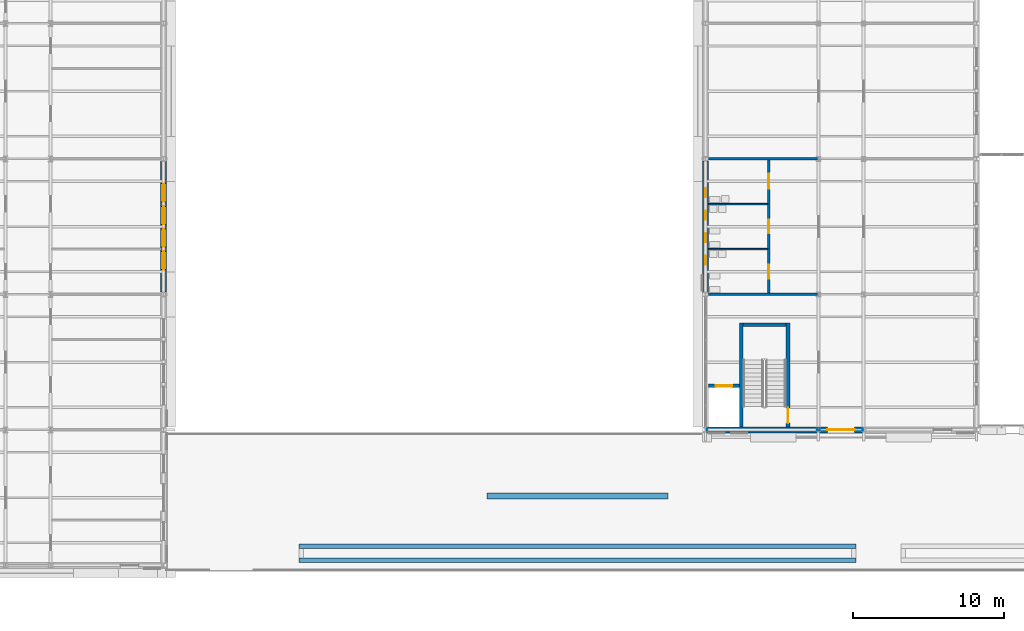
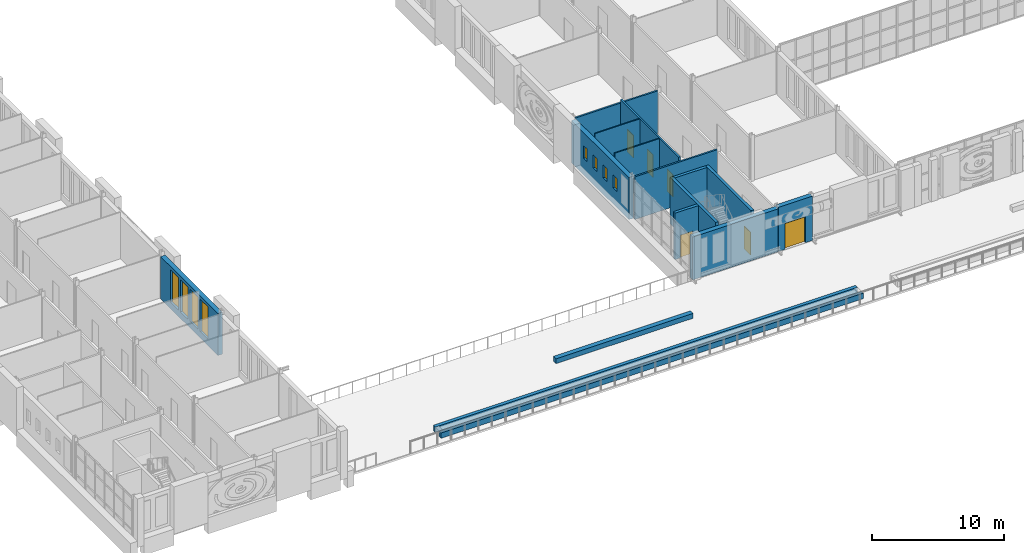
# One storey, part 70 of 134: 16 walls, 8 windows, 6 doors, 14 openings.
"""IFC4 building model written with IfcOpenShell, lengths in metres."""

from ifc_helpers import new_model, si_unit, direction, frame, frame_2d, origin, place, context, subcontext, project, spatial, rectangle, extrude, material, layer, layer_set, type_object, element, fill, save


model = new_model("IFC4")

# Units and contexts
model_context = context("Model", 3, precision=1e-05, world=origin(), true_north=direction((0.0, 1.0)))
body_context = subcontext(model_context, "Body", "Model", "MODEL_VIEW")
ifc_project = project(units=[si_unit("LENGTHUNIT", "METRE"), si_unit("AREAUNIT", "SQUARE_METRE"), si_unit("VOLUMEUNIT", "CUBIC_METRE"), si_unit("PLANEANGLEUNIT", "RADIAN"), si_unit("MASSUNIT", "GRAM", prefix="KILO")], contexts=[model_context])

# Site, building, storey
site_placement = place(None, origin())
site = spatial("IfcSite", under=ifc_project, at=site_placement, CompositionType="ELEMENT")
building_placement = place(site_placement, origin())
building = spatial("IfcBuilding", under=site, at=building_placement, Name="Golden Quay Civic Hall", CompositionType="ELEMENT")
storey_placement = place(building_placement, frame((0.0, 0.0, 5.39990234375)))
storey = spatial("IfcBuildingStorey", under=building, at=storey_placement, Name="L01", CompositionType="ELEMENT", Elevation=5.39990234375)

# Walls
ifc_material_1 = material(Name="Brick, dark clay facing", Category="masonry")
ifc_layer_1 = layer(ifc_material_1, 0.300048828125)
ifc_layer_set_1 = layer_set([ifc_layer_1], Name="Brick planter wall 300")
wall_type_1 = type_object("IfcWallType", Name="Brick planter wall 300", PredefinedType="STANDARD", material=ifc_layer_set_1)
for number, where, z_axis, x_axis, name in (
    (1, (27.0, -8.64990234375, 0.0), (0.0, 0.0, 1.0), (1.0, 0.0, 0.0), "Terrace planter 1"),
    (2, (27.0, -7.75, 0.0), (0.0, 0.0, 1.0), (1.0, 0.0, 0.0), "Terrace planter 1"),
):
    element("IfcWall", number, at=place(storey_placement, frame(where, z_axis=z_axis, x_axis=x_axis)), inside=storey, type_object=wall_type_1, Name=name, PredefinedType="STANDARD", context=body_context, shape_type="SweptSolid", body=[
        extrude(rectangle(XDim=37.0, YDim=0.300048828125, at=frame_2d((18.5, 0.0))), origin(), (0.0, 0.0, 1.0), 0.5),
    ])
ifc_material_2 = material(Name="Concrete C40/50", Category="concrete")
ifc_layer_2 = layer(ifc_material_2, 0.25)
ifc_layer_set_2 = layer_set([ifc_layer_2], Name="Concrete core wall 250, Concrete C40/50")
wall_type_2 = type_object("IfcWallType", Name="Concrete core wall 250", PredefinedType="SHEAR", material=ifc_layer_set_2)
wall_1_placement = place(storey_placement, frame((56.375, 0.199951171875, 0.0), z_axis=(0.0, 0.0, 1.0), x_axis=(0.0, 1.0, 0.0)))
element("IfcWall", 3, at=wall_1_placement, inside=storey, type_object=wall_type_2, Name="Core wall WM-S-W1", PredefinedType="SHEAR", context=body_context, shape_type="SweptSolid", body=[
    extrude(rectangle(XDim=6.900146484375, YDim=0.25, at=frame_2d((3.4501953125, 0.0))), origin(), (0.0, 0.0, 1.0), 4.300048828125),
])

# Wall, opening, door
wall_2_placement = place(storey_placement, frame((59.47509765625, 0.199951171875, 0.0), z_axis=(0.0, 0.0, 1.0), x_axis=(0.0, 1.0, 0.0)))
wall_2 = element("IfcWall", 4, at=wall_2_placement, inside=storey, type_object=wall_type_2, Name="Core wall WM-S-W2", PredefinedType="SHEAR", context=body_context, shape_type="SweptSolid", body=[
    extrude(rectangle(XDim=6.900146484375, YDim=0.25, at=frame_2d((3.4501953125, 0.0))), origin(), (0.0, 0.0, 1.0), 4.300048828125),
])
opening_1_placement = place(wall_2_placement, frame((0.25, 0.0, 0.0)))
opening_1 = element("IfcOpeningElement", 5, at=opening_1_placement, cuts=wall_2, Name="Opening L01-D103", PredefinedType="OPENING", context=body_context, shape_type="SweptSolid", body=[
    extrude(rectangle(XDim=1.0, YDim=2.10009765625, at=frame_2d((0.5, 1.050048828125))), frame((0.0, 0.135009765625, 0.0), z_axis=(0.0, -1.0, 0.0), x_axis=(1.0, 0.0, 0.0)), (0.0, 0.0, 1.0), 0.27001953125),
])
ifc_material_3 = material(Name="Steel", Category="steel")
door_type_1 = type_object("IfcDoorType", Name="Steel fire door FD60 1000 x 2100", OperationType="SINGLE_SWING_LEFT", PredefinedType="DOOR", material=ifc_material_3)
door_1_placement = place(opening_1_placement, origin())
door_1 = element("IfcDoor", 6, at=door_1_placement, inside=storey, type_object=door_type_1, Name="Door L01-D103", OperationType="SINGLE_SWING_LEFT", OverallHeight=2.10009765625, OverallWidth=1.0, PredefinedType="DOOR", context=body_context, shape_type="SweptSolid", body=[
    extrude(rectangle(XDim=1.0, YDim=2.10009765625, at=frame_2d((0.5, 1.050048828125))), frame((0.0, 0.02490234375, 0.0), z_axis=(0.0, -1.0, 0.0), x_axis=(1.0, 0.0, 0.0)), (0.0, 0.0, 1.0), 0.050048828125),
])
fill(opening_1, door_1)

# Wall
wall_3_placement = place(storey_placement, frame((56.5, 6.97509765625, 0.0), z_axis=(0.0, 0.0, 1.0), x_axis=(1.0, 0.0, 0.0)))
element("IfcWall", 7, at=wall_3_placement, inside=storey, type_object=wall_type_2, Name="Core wall WM-S-W3", PredefinedType="SHEAR", context=body_context, shape_type="SweptSolid", body=[
    extrude(rectangle(XDim=2.85009765625, YDim=0.25, at=frame_2d((1.425048828125, 0.0))), origin(), (0.0, 0.0, 1.0), 4.300048828125),
])

# Wall, opening, door
wall_4_placement = place(storey_placement, frame((54.199951171875, 2.925048828125, 0.0), z_axis=(0.0, 0.0, 1.0), x_axis=(1.0, 0.0, 0.0)))
wall_4 = element("IfcWall", 8, at=wall_4_placement, inside=storey, type_object=wall_type_2, Name="Core wall WM-S-W4", PredefinedType="SHEAR", context=body_context, shape_type="SweptSolid", body=[
    extrude(rectangle(XDim=2.050048828125, YDim=0.25, at=frame_2d((1.02490234375, 0.0))), origin(), (0.0, 0.0, 1.0), 4.300048828125),
])
opening_2_placement = place(wall_4_placement, frame((0.47509765625, 0.0, 0.0)))
opening_2 = element("IfcOpeningElement", 9, at=opening_2_placement, cuts=wall_4, Name="Opening L01-D107", PredefinedType="OPENING", context=body_context, shape_type="SweptSolid", body=[
    extrude(rectangle(XDim=1.10009765625, YDim=2.10009765625, at=frame_2d((0.550048828125, 1.050048828125))), frame((0.0, 0.135009765625, 0.0), z_axis=(0.0, -1.0, 0.0), x_axis=(1.0, 0.0, 0.0)), (0.0, 0.0, 1.0), 0.27001953125),
])
ifc_material_4 = material(Name="Steel", Category="steel")
door_type_2 = type_object("IfcDoorType", Name="Lift landing door 1100 x 2100", OperationType="SLIDING_TO_LEFT", PredefinedType="DOOR", material=ifc_material_4)
door_2_placement = place(opening_2_placement, origin())
door_2 = element("IfcDoor", 10, at=door_2_placement, inside=storey, type_object=door_type_2, Name="Lift landing door L01-D107 WM-S", OperationType="SLIDING_TO_LEFT", OverallHeight=2.10009765625, OverallWidth=1.10009765625, PredefinedType="DOOR", context=body_context, shape_type="SweptSolid", body=[
    extrude(rectangle(XDim=1.10009765625, YDim=2.10009765625, at=frame_2d((0.550048828125, 1.050048828125))), frame((0.0, 0.02490234375, 0.0), z_axis=(0.0, -1.0, 0.0), x_axis=(1.0, 0.0, 0.0)), (0.0, 0.0, 1.0), 0.050048828125),
])
fill(opening_2, door_2)

# Walls
ifc_material_5 = material(Name="Plasterboard on steel studs", Category="steel")
ifc_layer_3 = layer(ifc_material_5, 0.10009765625)
ifc_layer_set_3 = layer_set([ifc_layer_3], Name="Partition 100 stud")
wall_type_3 = type_object("IfcWallType", Name="Partition 100 stud", PredefinedType="PARTITIONING", material=ifc_layer_set_3)
for number, where, z_axis, x_axis, name in (
    (11, (54.199951171875, 12.0, 0.0), (0.0, 0.0, 1.0), (1.0, 0.0, 0.0), "Partition L01-013"),
    (12, (54.199951171875, 15.0, 0.0), (0.0, 0.0, 1.0), (1.0, 0.0, 0.0), "Partition L01-014"),
):
    element("IfcWall", number, at=place(storey_placement, frame(where, z_axis=z_axis, x_axis=x_axis)), inside=storey, type_object=wall_type_3, Name=name, PredefinedType="PARTITIONING", context=body_context, shape_type="SweptSolid", body=[
        extrude(rectangle(XDim=3.925048828125, YDim=0.10009765625, at=frame_2d((1.96240234375, 0.0))), origin(), (0.0, 0.0, 1.0), 4.300048828125),
    ])
ifc_material_6 = material(Name="Plasterboard on steel studs", Category="steel")
ifc_layer_4 = layer(ifc_material_6, 0.14990234375)
ifc_layer_set_4 = layer_set([ifc_layer_4], Name="Partition 150 stud fire EI 60")
wall_type_4 = type_object("IfcWallType", Name="Partition 150 stud fire EI 60", PredefinedType="PARTITIONING", material=ifc_layer_set_4)
for number, where, z_axis, x_axis, name in (
    (13, (54.199951171875, 18.0, 0.0), (0.0, 0.0, 1.0), (1.0, 0.0, 0.0), "Partition L01-000"),
    (14, (54.199951171875, 9.0, 0.0), (0.0, 0.0, 1.0), (1.0, 0.0, 0.0), "Partition L01-009"),
):
    element("IfcWall", number, at=place(storey_placement, frame(where, z_axis=z_axis, x_axis=x_axis)), inside=storey, type_object=wall_type_4, Name=name, PredefinedType="PARTITIONING", context=body_context, shape_type="SweptSolid", body=[
        extrude(rectangle(XDim=7.22509765625, YDim=0.14990234375, at=frame_2d((3.612548828125, 0.0))), origin(), (0.0, 0.0, 1.0), 3.9501953125),
    ])

# Wall, openings, doors
wall_5_placement = place(storey_placement, frame((58.199951171875, 9.074951171875, 0.0), z_axis=(0.0, 0.0, 1.0), x_axis=(0.0, 1.0, 0.0)))
wall_5 = element("IfcWall", 15, at=wall_5_placement, inside=storey, type_object=wall_type_4, Name="Partition L01-012", PredefinedType="PARTITIONING", context=body_context, shape_type="SweptSolid", body=[
    extrude(rectangle(XDim=8.85009765625, YDim=0.14990234375, at=frame_2d((4.425048828125, 0.0))), origin(), (0.0, 0.0, 1.0), 4.300048828125),
])
opening_3_placement = place(wall_5_placement, frame((0.97509765625, 0.0, 0.0)))
opening_3 = element("IfcOpeningElement", 16, at=opening_3_placement, cuts=wall_5, Name="Opening L01-D100", PredefinedType="OPENING", context=body_context, shape_type="SweptSolid", body=[
    extrude(rectangle(XDim=0.89990234375, YDim=2.10009765625, at=frame_2d((0.449951171875, 1.050048828125))), frame((0.0, 0.0849609375, 0.0), z_axis=(0.0, -1.0, 0.0), x_axis=(1.0, 0.0, 0.0)), (0.0, 0.0, 1.0), 0.169921875),
])
opening_4_placement = place(wall_5_placement, frame((3.97509765625, 0.0, 0.0)))
opening_4 = element("IfcOpeningElement", 17, at=opening_4_placement, cuts=wall_5, Name="Opening L01-D101", PredefinedType="OPENING", context=body_context, shape_type="SweptSolid", body=[
    extrude(rectangle(XDim=0.89990234375, YDim=2.10009765625, at=frame_2d((0.449951171875, 1.050048828125))), frame((0.0, 0.0849609375, 0.0), z_axis=(0.0, -1.0, 0.0), x_axis=(1.0, 0.0, 0.0)), (0.0, 0.0, 1.0), 0.169921875),
])
opening_5_placement = place(wall_5_placement, frame((6.925048828125, 0.0, 0.0)))
opening_5 = element("IfcOpeningElement", 18, at=opening_5_placement, cuts=wall_5, Name="Opening L01-D102", PredefinedType="OPENING", context=body_context, shape_type="SweptSolid", body=[
    extrude(rectangle(XDim=1.0, YDim=2.10009765625, at=frame_2d((0.5, 1.050048828125))), frame((0.0, 0.0849609375, 0.0), z_axis=(0.0, -1.0, 0.0), x_axis=(1.0, 0.0, 0.0)), (0.0, 0.0, 1.0), 0.169921875),
])
ifc_material_7 = material(Name="Timber", Category="wood")
door_type_3 = type_object("IfcDoorType", Name="Timber door 1000 x 2100", OperationType="SINGLE_SWING_LEFT", PredefinedType="DOOR", material=ifc_material_7)
door_3_placement = place(opening_5_placement, origin())
door_3 = element("IfcDoor", 19, at=door_3_placement, inside=storey, type_object=door_type_3, Name="Door L01-D102", OperationType="SINGLE_SWING_LEFT", OverallHeight=2.10009765625, OverallWidth=1.0, PredefinedType="DOOR", context=body_context, shape_type="SweptSolid", body=[
    extrude(rectangle(XDim=1.0, YDim=2.10009765625, at=frame_2d((0.5, 1.050048828125))), frame((0.0, 0.02490234375, 0.0), z_axis=(0.0, -1.0, 0.0), x_axis=(1.0, 0.0, 0.0)), (0.0, 0.0, 1.0), 0.050048828125),
])
fill(opening_5, door_3)
ifc_material_8 = material(Name="Timber", Category="wood")
door_type_4 = type_object("IfcDoorType", Name="Timber door 900 x 2100", OperationType="SINGLE_SWING_LEFT", PredefinedType="DOOR", material=ifc_material_8)
door_4_placement = place(opening_3_placement, origin())
door_4 = element("IfcDoor", 20, at=door_4_placement, inside=storey, type_object=door_type_4, Name="Door L01-D100", OperationType="SINGLE_SWING_LEFT", OverallHeight=2.10009765625, OverallWidth=0.89990234375, PredefinedType="DOOR", context=body_context, shape_type="SweptSolid", body=[
    extrude(rectangle(XDim=0.89990234375, YDim=2.10009765625, at=frame_2d((0.449951171875, 1.050048828125))), frame((0.0, 0.02490234375, 0.0), z_axis=(0.0, -1.0, 0.0), x_axis=(1.0, 0.0, 0.0)), (0.0, 0.0, 1.0), 0.050048828125),
])
fill(opening_3, door_4)
door_5_placement = place(opening_4_placement, origin())
door_5 = element("IfcDoor", 21, at=door_5_placement, inside=storey, type_object=door_type_4, Name="Door L01-D101", OperationType="SINGLE_SWING_LEFT", OverallHeight=2.10009765625, OverallWidth=0.89990234375, PredefinedType="DOOR", context=body_context, shape_type="SweptSolid", body=[
    extrude(rectangle(XDim=0.89990234375, YDim=2.10009765625, at=frame_2d((0.449951171875, 1.050048828125))), frame((0.0, 0.02490234375, 0.0), z_axis=(0.0, -1.0, 0.0), x_axis=(1.0, 0.0, 0.0)), (0.0, 0.0, 1.0), 0.050048828125),
])
fill(opening_4, door_5)

# Wall, openings, windows
ifc_material_9 = material(Name="Clay block, rendered, cream")
ifc_layer_5 = layer(ifc_material_9, 0.39990234375)
ifc_layer_set_5 = layer_set([ifc_layer_5], Name="Rendered block external wall 400")
wall_type_5 = type_object("IfcWallType", Name="Rendered block external wall 400", PredefinedType="STANDARD", material=ifc_layer_set_5)
wall_6_placement = place(storey_placement, frame((18.0, 17.85009765625, 0.0), z_axis=(0.0, 0.0, 1.0), x_axis=(0.0, -1.0, 0.0)))
wall_6 = element("IfcWall", 22, at=wall_6_placement, inside=storey, type_object=wall_type_5, Name="Rendered block external wall 400 L01 14", PredefinedType="STANDARD", context=body_context, shape_type="SweptSolid", body=[
    extrude(rectangle(XDim=8.7001953125, YDim=0.39990234375, at=frame_2d((4.35009765625, 0.0))), origin(), (0.0, 0.0, 1.0), 3.900146484375),
])
opening_6_placement = place(wall_6_placement, frame((6.0, 0.0, 0.60009765625)))
opening_6 = element("IfcOpeningElement", 23, at=opening_6_placement, cuts=wall_6, Name="Opening WN5", PredefinedType="OPENING", context=body_context, shape_type="SweptSolid", body=[
    extrude(rectangle(XDim=1.199951171875, YDim=3.0, at=frame_2d((0.60009765625, 1.5))), frame((0.0, 0.2099609375, 0.0), z_axis=(0.0, -1.0, 0.0), x_axis=(1.0, 0.0, 0.0)), (0.0, 0.0, 1.0), 0.419921875),
])
opening_7_placement = place(wall_6_placement, frame((4.5, 0.0, 0.60009765625)))
opening_7 = element("IfcOpeningElement", 24, at=opening_7_placement, cuts=wall_6, Name="Opening WN5", PredefinedType="OPENING", context=body_context, shape_type="SweptSolid", body=[
    extrude(rectangle(XDim=1.199951171875, YDim=3.0, at=frame_2d((0.60009765625, 1.5))), frame((0.0, 0.2099609375, 0.0), z_axis=(0.0, -1.0, 0.0), x_axis=(1.0, 0.0, 0.0)), (0.0, 0.0, 1.0), 0.419921875),
])
opening_8_placement = place(wall_6_placement, frame((3.0, 0.0, 0.60009765625)))
opening_8 = element("IfcOpeningElement", 25, at=opening_8_placement, cuts=wall_6, Name="Opening WN5", PredefinedType="OPENING", context=body_context, shape_type="SweptSolid", body=[
    extrude(rectangle(XDim=1.199951171875, YDim=3.0, at=frame_2d((0.60009765625, 1.5))), frame((0.0, 0.2099609375, 0.0), z_axis=(0.0, -1.0, 0.0), x_axis=(1.0, 0.0, 0.0)), (0.0, 0.0, 1.0), 0.419921875),
])
opening_9_placement = place(wall_6_placement, frame((1.5, 0.0, 0.60009765625)))
opening_9 = element("IfcOpeningElement", 26, at=opening_9_placement, cuts=wall_6, Name="Opening WN5", PredefinedType="OPENING", context=body_context, shape_type="SweptSolid", body=[
    extrude(rectangle(XDim=1.199951171875, YDim=3.0, at=frame_2d((0.60009765625, 1.5))), frame((0.0, 0.2099609375, 0.0), z_axis=(0.0, -1.0, 0.0), x_axis=(1.0, 0.0, 0.0)), (0.0, 0.0, 1.0), 0.419921875),
])
ifc_material_10 = material(Name="Aluminium frame, double glazed", Category="aluminium")
window_type_1 = type_object("IfcWindowType", Name="Golden grid window 1200 x 3000", PartitioningType="SINGLE_PANEL", PredefinedType="WINDOW", material=ifc_material_10)
window_1_placement = place(opening_6_placement, origin())
window_1 = element("IfcWindow", 27, at=window_1_placement, inside=storey, type_object=window_type_1, Name="Golden grid window 1200 x 3000 L01 20", OverallHeight=3.0, OverallWidth=1.199951171875, PartitioningType="SINGLE_PANEL", PredefinedType="WINDOW", context=body_context, shape_type="SweptSolid", body=[
    extrude(rectangle(XDim=1.199951171875, YDim=3.0, at=frame_2d((0.60009765625, 1.5))), frame((0.0, 0.030029296875, 0.0), z_axis=(0.0, -1.0, 0.0), x_axis=(1.0, 0.0, 0.0)), (0.0, 0.0, 1.0), 0.06005859375),
])
fill(opening_6, window_1)
window_2_placement = place(opening_7_placement, origin())
window_2 = element("IfcWindow", 28, at=window_2_placement, inside=storey, type_object=window_type_1, Name="Golden grid window 1200 x 3000 L01 21", OverallHeight=3.0, OverallWidth=1.199951171875, PartitioningType="SINGLE_PANEL", PredefinedType="WINDOW", context=body_context, shape_type="SweptSolid", body=[
    extrude(rectangle(XDim=1.199951171875, YDim=3.0, at=frame_2d((0.60009765625, 1.5))), frame((0.0, 0.030029296875, 0.0), z_axis=(0.0, -1.0, 0.0), x_axis=(1.0, 0.0, 0.0)), (0.0, 0.0, 1.0), 0.06005859375),
])
fill(opening_7, window_2)
window_3_placement = place(opening_8_placement, origin())
window_3 = element("IfcWindow", 29, at=window_3_placement, inside=storey, type_object=window_type_1, Name="Golden grid window 1200 x 3000 L01 22", OverallHeight=3.0, OverallWidth=1.199951171875, PartitioningType="SINGLE_PANEL", PredefinedType="WINDOW", context=body_context, shape_type="SweptSolid", body=[
    extrude(rectangle(XDim=1.199951171875, YDim=3.0, at=frame_2d((0.60009765625, 1.5))), frame((0.0, 0.030029296875, 0.0), z_axis=(0.0, -1.0, 0.0), x_axis=(1.0, 0.0, 0.0)), (0.0, 0.0, 1.0), 0.06005859375),
])
fill(opening_8, window_3)
window_4_placement = place(opening_9_placement, origin())
window_4 = element("IfcWindow", 30, at=window_4_placement, inside=storey, type_object=window_type_1, Name="Golden grid window 1200 x 3000 L01 23", OverallHeight=3.0, OverallWidth=1.199951171875, PartitioningType="SINGLE_PANEL", PredefinedType="WINDOW", context=body_context, shape_type="SweptSolid", body=[
    extrude(rectangle(XDim=1.199951171875, YDim=3.0, at=frame_2d((0.60009765625, 1.5))), frame((0.0, 0.030029296875, 0.0), z_axis=(0.0, -1.0, 0.0), x_axis=(1.0, 0.0, 0.0)), (0.0, 0.0, 1.0), 0.06005859375),
])
fill(opening_9, window_4)

wall_7_placement = place(storey_placement, frame((54.0, 9.135009765625, 0.0), z_axis=(0.0, 0.0, 1.0), x_axis=(0.0, 1.0, 0.0)))
wall_7 = element("IfcWall", 31, at=wall_7_placement, inside=storey, type_object=wall_type_5, Name="Rendered block external wall 400 L01 21", PredefinedType="STANDARD", context=body_context, shape_type="SweptSolid", body=[
    extrude(rectangle(XDim=8.72998046875, YDim=0.39990234375, at=frame_2d((4.364990234375, 0.0))), origin(), (0.0, 0.0, 1.0), 3.900146484375),
])
opening_10_placement = place(wall_7_placement, frame((1.81494140625, 0.0, 1.5)))
opening_10 = element("IfcOpeningElement", 32, at=opening_10_placement, cuts=wall_7, Name="Opening WN1", PredefinedType="OPENING", context=body_context, shape_type="SweptSolid", body=[
    extrude(rectangle(XDim=0.60009765625, YDim=1.199951171875, at=frame_2d((0.300048828125, 0.60009765625))), frame((0.0, 0.2099609375, 0.0), z_axis=(0.0, -1.0, 0.0), x_axis=(1.0, 0.0, 0.0)), (0.0, 0.0, 1.0), 0.419921875),
])
opening_11_placement = place(wall_7_placement, frame((3.31494140625, 0.0, 1.5)))
opening_11 = element("IfcOpeningElement", 33, at=opening_11_placement, cuts=wall_7, Name="Opening WN1", PredefinedType="OPENING", context=body_context, shape_type="SweptSolid", body=[
    extrude(rectangle(XDim=0.60009765625, YDim=1.199951171875, at=frame_2d((0.300048828125, 0.60009765625))), frame((0.0, 0.2099609375, 0.0), z_axis=(0.0, -1.0, 0.0), x_axis=(1.0, 0.0, 0.0)), (0.0, 0.0, 1.0), 0.419921875),
])
opening_12_placement = place(wall_7_placement, frame((4.81494140625, 0.0, 1.5)))
opening_12 = element("IfcOpeningElement", 34, at=opening_12_placement, cuts=wall_7, Name="Opening WN1", PredefinedType="OPENING", context=body_context, shape_type="SweptSolid", body=[
    extrude(rectangle(XDim=0.60009765625, YDim=1.199951171875, at=frame_2d((0.300048828125, 0.60009765625))), frame((0.0, 0.2099609375, 0.0), z_axis=(0.0, -1.0, 0.0), x_axis=(1.0, 0.0, 0.0)), (0.0, 0.0, 1.0), 0.419921875),
])
opening_13_placement = place(wall_7_placement, frame((6.31494140625, 0.0, 1.5)))
opening_13 = element("IfcOpeningElement", 35, at=opening_13_placement, cuts=wall_7, Name="Opening WN1", PredefinedType="OPENING", context=body_context, shape_type="SweptSolid", body=[
    extrude(rectangle(XDim=0.60009765625, YDim=1.199951171875, at=frame_2d((0.300048828125, 0.60009765625))), frame((0.0, 0.2099609375, 0.0), z_axis=(0.0, -1.0, 0.0), x_axis=(1.0, 0.0, 0.0)), (0.0, 0.0, 1.0), 0.419921875),
])
ifc_material_11 = material(Name="Aluminium frame, double glazed", Category="aluminium")
window_type_2 = type_object("IfcWindowType", Name="WC window 600 x 1200", PartitioningType="SINGLE_PANEL", PredefinedType="WINDOW", material=ifc_material_11)
window_5_placement = place(opening_10_placement, origin())
window_5 = element("IfcWindow", 36, at=window_5_placement, inside=storey, type_object=window_type_2, Name="WC window 600 x 1200 L01 8", OverallHeight=1.199951171875, OverallWidth=0.60009765625, PartitioningType="SINGLE_PANEL", PredefinedType="WINDOW", context=body_context, shape_type="SweptSolid", body=[
    extrude(rectangle(XDim=0.60009765625, YDim=1.199951171875, at=frame_2d((0.300048828125, 0.60009765625))), frame((0.0, 0.030029296875, 0.0), z_axis=(0.0, -1.0, 0.0), x_axis=(1.0, 0.0, 0.0)), (0.0, 0.0, 1.0), 0.06005859375),
])
fill(opening_10, window_5)
window_6_placement = place(opening_11_placement, origin())
window_6 = element("IfcWindow", 37, at=window_6_placement, inside=storey, type_object=window_type_2, Name="WC window 600 x 1200 L01 9", OverallHeight=1.199951171875, OverallWidth=0.60009765625, PartitioningType="SINGLE_PANEL", PredefinedType="WINDOW", context=body_context, shape_type="SweptSolid", body=[
    extrude(rectangle(XDim=0.60009765625, YDim=1.199951171875, at=frame_2d((0.300048828125, 0.60009765625))), frame((0.0, 0.030029296875, 0.0), z_axis=(0.0, -1.0, 0.0), x_axis=(1.0, 0.0, 0.0)), (0.0, 0.0, 1.0), 0.06005859375),
])
fill(opening_11, window_6)
window_7_placement = place(opening_12_placement, origin())
window_7 = element("IfcWindow", 38, at=window_7_placement, inside=storey, type_object=window_type_2, Name="WC window 600 x 1200 L01 10", OverallHeight=1.199951171875, OverallWidth=0.60009765625, PartitioningType="SINGLE_PANEL", PredefinedType="WINDOW", context=body_context, shape_type="SweptSolid", body=[
    extrude(rectangle(XDim=0.60009765625, YDim=1.199951171875, at=frame_2d((0.300048828125, 0.60009765625))), frame((0.0, 0.030029296875, 0.0), z_axis=(0.0, -1.0, 0.0), x_axis=(1.0, 0.0, 0.0)), (0.0, 0.0, 1.0), 0.06005859375),
])
fill(opening_12, window_7)
window_8_placement = place(opening_13_placement, origin())
window_8 = element("IfcWindow", 39, at=window_8_placement, inside=storey, type_object=window_type_2, Name="WC window 600 x 1200 L01 11", OverallHeight=1.199951171875, OverallWidth=0.60009765625, PartitioningType="SINGLE_PANEL", PredefinedType="WINDOW", context=body_context, shape_type="SweptSolid", body=[
    extrude(rectangle(XDim=0.60009765625, YDim=1.199951171875, at=frame_2d((0.300048828125, 0.60009765625))), frame((0.0, 0.030029296875, 0.0), z_axis=(0.0, -1.0, 0.0), x_axis=(1.0, 0.0, 0.0)), (0.0, 0.0, 1.0), 0.06005859375),
])
fill(opening_13, window_8)

# Wall, opening, door
wall_8_placement = place(storey_placement, frame((64.490966796875, 0.0, 0.0), z_axis=(0.0, 0.0, 1.0), x_axis=(-1.0, 0.0, 0.0)))
wall_8 = element("IfcWall", 40, at=wall_8_placement, inside=storey, type_object=wall_type_5, Name="Rendered block external wall 400 L01 33", PredefinedType="STANDARD", context=body_context, shape_type="SweptSolid", body=[
    extrude(rectangle(XDim=2.98193359375, YDim=0.39990234375, at=frame_2d((1.490966796875, 0.0))), origin(), (0.0, 0.0, 1.0), 4.10009765625),
])
opening_14_placement = place(wall_8_placement, frame((0.591064453125, 0.0, 0.0)))
opening_14 = element("IfcOpeningElement", 41, at=opening_14_placement, cuts=wall_8, Name="Opening L01-D005", PredefinedType="OPENING", context=body_context, shape_type="SweptSolid", body=[
    extrude(rectangle(XDim=1.800048828125, YDim=2.39990234375, at=frame_2d((0.89990234375, 1.199951171875))), frame((0.0, 0.2099609375, 0.0), z_axis=(0.0, -1.0, 0.0), x_axis=(1.0, 0.0, 0.0)), (0.0, 0.0, 1.0), 0.419921875),
])
ifc_material_12 = material(Name="Aluminium frame, glazed", Category="aluminium")
door_type_5 = type_object("IfcDoorType", Name="Glazed double terrace door 1800 x 2400", OperationType="DOUBLE_DOOR_SINGLE_SWING", PredefinedType="DOOR", material=ifc_material_12)
door_6_placement = place(opening_14_placement, origin())
door_6 = element("IfcDoor", 42, at=door_6_placement, inside=storey, type_object=door_type_5, Name="Door L01-D005", OperationType="DOUBLE_DOOR_SINGLE_SWING", OverallHeight=2.39990234375, OverallWidth=1.800048828125, PredefinedType="DOOR", context=body_context, shape_type="SweptSolid", body=[
    extrude(rectangle(XDim=1.800048828125, YDim=2.39990234375, at=frame_2d((0.89990234375, 1.199951171875))), frame((0.0, 0.02490234375, 0.0), z_axis=(0.0, -1.0, 0.0), x_axis=(1.0, 0.0, 0.0)), (0.0, 0.0, 1.0), 0.050048828125),
])
fill(opening_14, door_6)

# Walls
ifc_material_13 = material(Name="Clay block, rendered, cream")
ifc_layer_6 = layer(ifc_material_13, 0.39990234375)
ifc_layer_set_6 = layer_set([ifc_layer_6], Name="Rendered block external wall 400 fire EI 60")
wall_type_6 = type_object("IfcWallType", Name="Rendered block external wall 400 fire EI 60", PredefinedType="STANDARD", material=ifc_layer_set_6)
wall_9_placement = place(storey_placement, frame((61.490966796875, 0.0, 0.0), z_axis=(0.0, 0.0, 1.0), x_axis=(-1.0, 0.0, 0.0)))
element("IfcWall", 43, at=wall_9_placement, inside=storey, type_object=wall_type_6, Name="Rendered block external wall 400 fire EI 60 L01 6", PredefinedType="STANDARD", context=body_context, shape_type="SweptSolid", body=[
    extrude(rectangle(XDim=7.48193359375, YDim=0.39990234375, at=frame_2d((3.740966796875, 0.0))), origin(), (0.0, 0.0, 1.0), 3.97021484375),
])
ifc_material_14 = material(Name="Granite", Category="masonry")
ifc_layer_7 = layer(ifc_material_14, 0.39990234375)
ifc_layer_set_7 = layer_set([ifc_layer_7], Name="Stone basin and seat wall 400")
wall_type_7 = type_object("IfcWallType", Name="Stone basin and seat wall 400", PredefinedType="STANDARD", material=ifc_layer_set_7)
wall_10_placement = place(storey_placement, frame((39.5, -4.39990234375, 0.0), z_axis=(0.0, 0.0, 1.0), x_axis=(1.0, 0.0, 0.0)))
element("IfcWall", 44, at=wall_10_placement, inside=storey, type_object=wall_type_7, Name="Terrace seat 1", PredefinedType="STANDARD", context=body_context, shape_type="SweptSolid", body=[
    extrude(rectangle(XDim=12.0, YDim=0.39990234375, at=frame_2d((6.0, 0.0))), origin(), (0.0, 0.0, 1.0), 0.4501953125),
])

save(model, "model.ifc")
